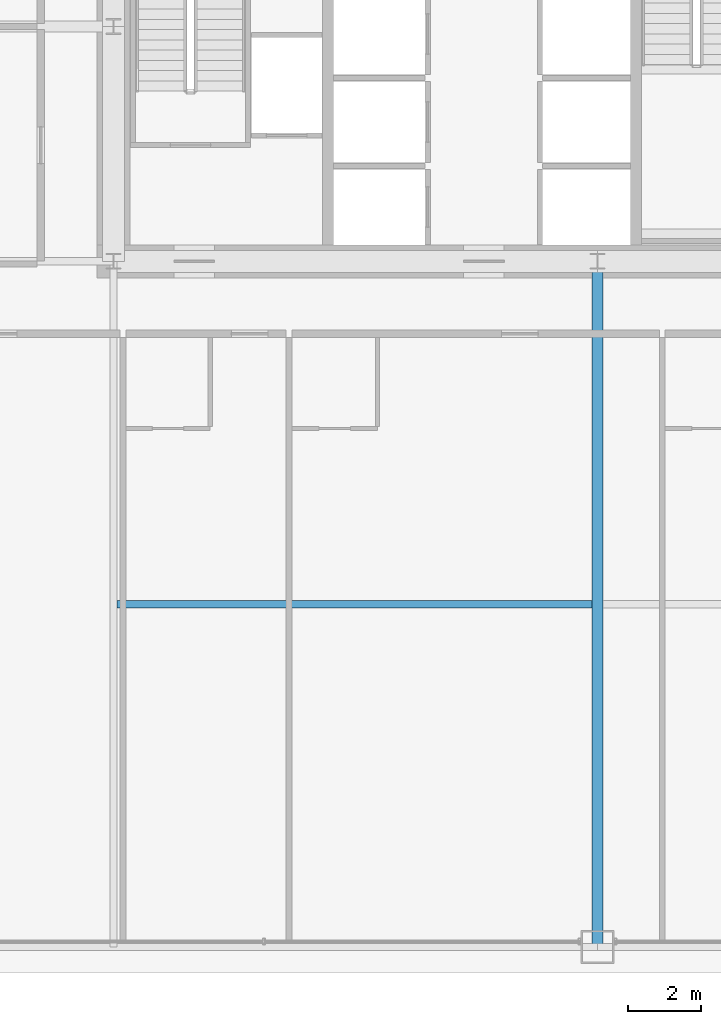
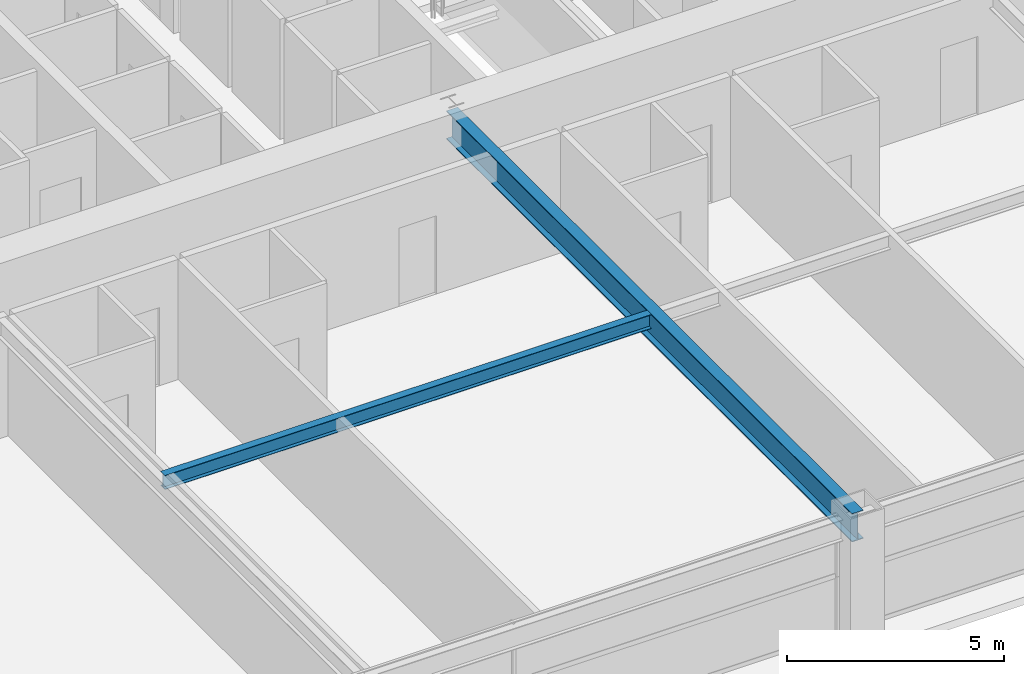
# One storey, part 8 of 43: 2 beams.
"""IFC4 building model written with IfcOpenShell, lengths in metres."""

import ifcopenshell
import ifcopenshell.guid

model = None  # the IFC model being written
_history = None  # IfcOwnerHistory: only IFC2X3 demands one
_inside = {}  # id of a spatial element -> (the spatial element, [elements in it])
_under = {}  # id of a project, library or spatial element -> (it, [spatial elements below it])
_declared = {}  # id of a project -> (the project, [libraries it declares])
_typed = {}  # id of a type object -> (the type object, [elements of that type])
_made_of = {}  # id of a material, layer set ... -> (it, [elements and type objects made of it])


def new_model(schema):
    """Start an empty IFC model of exactly this schema.

    Asked for "IFC4X3", IfcOpenShell would pick the latest addendum, in which some entities
    have other attributes; the version numbers below select the first issue.
    IFC2X3 requires an IfcOwnerHistory on every rooted entity: one is made here for all.
    """
    global model, _history
    if schema == "IFC4X3":
        model = ifcopenshell.file(schema_version=(4, 3, 0, 0))
    else:
        model = ifcopenshell.file(schema=schema)
    _inside.clear()
    _under.clear()
    _declared.clear()
    _typed.clear()
    _made_of.clear()
    _history = None
    if model.schema == "IFC2X3":
        org = make("IfcOrganization", Name="unknown")
        user = make(
            "IfcPersonAndOrganization",
            ThePerson=make("IfcPerson", FamilyName="unknown"),
            TheOrganization=org,
        )
        app = make(
            "IfcApplication",
            ApplicationDeveloper=org,
            Version="unknown",
            ApplicationFullName="unknown",
            ApplicationIdentifier="unknown",
        )
        _history = make(
            "IfcOwnerHistory",
            OwningUser=user,
            OwningApplication=app,
            ChangeAction="ADDED",
            CreationDate=0,
        )
    return model


def make(cls, **values):
    """One entity of the class cls with the attributes given. An attribute that is None is left unset."""
    return model.create_entity(
        cls, **{name: value for name, value in values.items() if value is not None}
    )


def rooted(cls, **values):
    """An entity with a GlobalId (a new one), such as an element, a storey or a relation."""
    return make(cls, GlobalId=ifcopenshell.guid.new(), OwnerHistory=_history, **values)


def si_unit(unit_type, name, prefix=None):
    """IfcSIUnit, for example si_unit("LENGTHUNIT", "METRE", prefix="MILLI")."""
    return make("IfcSIUnit", UnitType=unit_type, Prefix=prefix, Name=name)


def assignment(units):
    """IfcUnitAssignment: the units of a project."""
    return None if units is None else make("IfcUnitAssignment", Units=units)


def point(xyz):
    """IfcCartesianPoint."""
    return None if xyz is None else make("IfcCartesianPoint", Coordinates=xyz)


def direction(xyz):
    """IfcDirection."""
    return None if xyz is None else make("IfcDirection", DirectionRatios=xyz)


def frame(location, z_axis=None, x_axis=None):
    """IfcAxis2Placement3D, a coordinate frame: its origin and axes. An axis left out is left unset."""
    return make(
        "IfcAxis2Placement3D",
        Location=point(location),
        Axis=direction(z_axis),
        RefDirection=direction(x_axis),
    )


def frame_2d(location, x_axis=None):
    """IfcAxis2Placement2D, a coordinate frame in the plane: its origin and x axis."""
    return make(
        "IfcAxis2Placement2D", Location=point(location), RefDirection=direction(x_axis)
    )


def origin():
    """The frame at (0, 0, 0) with its axes left unset."""
    return frame((0.0, 0.0, 0.0))


def origin_2d():
    """The frame at (0, 0) in the plane with its x axis left unset."""
    return frame_2d((0.0, 0.0))


def place(relative_to, where):
    """IfcLocalPlacement: puts the frame where relative to a parent placement (None: the world)."""
    return make(
        "IfcLocalPlacement", PlacementRelTo=relative_to, RelativePlacement=where
    )


def context(
    kind, dimensions, precision=None, world=None, true_north=None, identifier=None
):
    """IfcGeometricRepresentationContext, for example the 3D "Model" context."""
    return make(
        "IfcGeometricRepresentationContext",
        ContextIdentifier=identifier,
        ContextType=kind,
        CoordinateSpaceDimension=dimensions,
        Precision=precision,
        WorldCoordinateSystem=world,
        TrueNorth=true_north,
    )


def subcontext(parent, identifier, kind, view, scale=None):
    """IfcGeometricRepresentationSubContext, for example "Body" below "Model"."""
    return make(
        "IfcGeometricRepresentationSubContext",
        ContextIdentifier=identifier,
        ContextType=kind,
        ParentContext=parent,
        TargetScale=scale,
        TargetView=view,
    )


def project(units=None, contexts=None):
    """IfcProject with its units and contexts."""
    return rooted(
        "IfcProject",
        Name="project",
        RepresentationContexts=contexts,
        UnitsInContext=assignment(units),
    )


def spatial(cls, under=None, at=None, **own):
    """A site, building, storey or space (cls), placed at a placement, below another one or the project."""
    s = rooted(cls, ObjectPlacement=at, **own)
    if under is not None:
        _under.setdefault(under.id(), (under, []))[1].append(s)
    return s


def profile(cls, at=None, kind="AREA", **sizes):
    """A parametric profile (cls). Its sizes go by their IFC names, for example OverallWidth=200.0."""
    return make(cls, ProfileType=kind, Position=at, **sizes)


def i_section(**sizes):
    """IfcIShapeProfileDef."""
    return profile("IfcIShapeProfileDef", **sizes)


def extrude(swept, where, along, depth):
    """IfcExtrudedAreaSolid: the profile swept, set in the frame where, extruded along a direction by depth."""
    return make(
        "IfcExtrudedAreaSolid",
        SweptArea=swept,
        Position=where,
        ExtrudedDirection=direction(along),
        Depth=depth,
    )


def shape(context_of_items, identifier, shape_type, items):
    """IfcShapeRepresentation: the items that make up one representation, for example the "Body"."""
    return make(
        "IfcShapeRepresentation",
        ContextOfItems=context_of_items,
        RepresentationIdentifier=identifier,
        RepresentationType=shape_type,
        Items=items,
    )


def source(mapping_origin, context_of_items, identifier, shape_type, items):
    """IfcRepresentationMap: a shape defined once, which mapped items show again and again."""
    return make(
        "IfcRepresentationMap",
        MappingOrigin=mapping_origin,
        MappedRepresentation=shape(context_of_items, identifier, shape_type, items),
    )


def transform(
    local_origin,
    x_axis=None,
    y_axis=None,
    z_axis=None,
    scale=None,
    scale2=None,
    scale3=None,
    uniform=True,
):
    """IfcCartesianTransformationOperator3D, or its non-uniform kind. x_axis, y_axis, z_axis: its Axis1, 2, 3."""
    if uniform:
        return make(
            "IfcCartesianTransformationOperator3D",
            Axis1=direction(x_axis),
            Axis2=direction(y_axis),
            LocalOrigin=point(local_origin),
            Scale=scale,
            Axis3=direction(z_axis),
        )
    return make(
        "IfcCartesianTransformationOperator3DnonUniform",
        Axis1=direction(x_axis),
        Axis2=direction(y_axis),
        LocalOrigin=point(local_origin),
        Scale=scale,
        Axis3=direction(z_axis),
        Scale2=scale2,
        Scale3=scale3,
    )


def mapped(mapping_source, mapping_target):
    """IfcMappedItem: shows the shape of a source again, moved by a transform."""
    return make(
        "IfcMappedItem", MappingSource=mapping_source, MappingTarget=mapping_target
    )


def material(Name=None, Category=None):
    """IfcMaterial."""
    return make("IfcMaterial", Name=Name, Category=Category)


def material_profile(
    of_material, cross_section, Name=None, Category=None, Priority=None
):
    """IfcMaterialProfile: a cross section and its material."""
    return make(
        "IfcMaterialProfile",
        Name=Name,
        Material=of_material,
        Profile=cross_section,
        Priority=Priority,
        Category=Category,
    )


def profile_set(profiles, Name=None, composite=None):
    """IfcMaterialProfileSet."""
    return make(
        "IfcMaterialProfileSet",
        Name=Name,
        MaterialProfiles=profiles,
        CompositeProfile=composite,
    )


def made_of(thing, what):
    """Note that an element or type object is made of a material, layer set ...; save() writes the relation."""
    if what is not None:
        _made_of.setdefault(what.id(), (what, []))[1].append(thing)
    return thing


def type_object(cls, material=None, **own):
    """A type object (cls), such as IfcWallType, which elements share."""
    return made_of(rooted(cls, **own), material)


def element(
    cls,
    number,
    at=None,
    inside=None,
    cuts=None,
    type_object=None,
    material=None,
    context=None,
    identifier="Body",
    shape_type=None,
    held_by="IfcProductDefinitionShape",
    body=None,
    shapes=None,
    **own,
):
    """One element of the class cls, such as IfcWall. Its Tag is "e" and its number.

    at: its placement. inside: the storey or other place that contains it. cuts: it is an
    opening in that element (IfcRelVoidsElement). A single representation is given by context,
    identifier, shape_type and body (its items); several are given by shapes. held_by: the class
    of the entity that holds the representations. save() writes the other relations.
    """
    e = rooted(cls, Tag="e%d" % number, ObjectPlacement=at, **own)
    if body is not None:
        shapes = [shape(context, identifier, shape_type, body)]
    if shapes is not None:
        e.Representation = make(held_by, Representations=shapes)
    if inside is not None:
        _inside.setdefault(inside.id(), (inside, []))[1].append(e)
    if cuts is not None:
        rooted(
            "IfcRelVoidsElement", RelatingBuildingElement=cuts, RelatedOpeningElement=e
        )
    if type_object is not None:
        _typed.setdefault(type_object.id(), (type_object, []))[1].append(e)
    return made_of(e, material)


def aggregate(whole, parts):
    """IfcRelAggregates: a whole, such as a stair, and the parts it consists of."""
    return rooted("IfcRelAggregates", RelatingObject=whole, RelatedObjects=parts)


def save(model, path):
    """Write the relations noted so far, then the file.

    IfcRelAggregates (storeys below a building ...), IfcRelContainedInSpatialStructure (elements
    in a storey), IfcRelDefinesByType, IfcRelAssociatesMaterial and IfcRelDeclares: one each for
    every whole, place, type object, material and project.
    """
    for whole, parts in _under.values():
        aggregate(whole, parts)
    for where, things in _inside.values():
        rooted(
            "IfcRelContainedInSpatialStructure",
            RelatedElements=things,
            RelatingStructure=where,
        )
    for kind, things in _typed.values():
        rooted("IfcRelDefinesByType", RelatedObjects=things, RelatingType=kind)
    for what, things in _made_of.values():
        rooted("IfcRelAssociatesMaterial", RelatedObjects=things, RelatingMaterial=what)
    for by, libraries in _declared.values():
        rooted("IfcRelDeclares", RelatingContext=by, RelatedDefinitions=libraries)
    model.write(path)


model = new_model("IFC4")

# Units and contexts
model_context = context("Model", 3, precision=1e-05, world=origin(), true_north=direction((0.0, 1.0)))
body_context = subcontext(model_context, "Body", "Model", "MODEL_VIEW")
ifc_project = project(units=[si_unit("LENGTHUNIT", "METRE"), si_unit("AREAUNIT", "SQUARE_METRE"), si_unit("VOLUMEUNIT", "CUBIC_METRE"), si_unit("PLANEANGLEUNIT", "RADIAN"), si_unit("MASSUNIT", "GRAM", prefix="KILO"), si_unit("THERMODYNAMICTEMPERATUREUNIT", "KELVIN"), si_unit("POWERUNIT", "WATT")], contexts=[model_context])

# Site, building, storey
site_placement = place(None, origin())
site = spatial("IfcSite", under=ifc_project, at=site_placement, CompositionType="ELEMENT")
building_placement = place(site_placement, origin())
building = spatial("IfcBuilding", under=site, at=building_placement, Name="Yuzanri Waterfront Tower", CompositionType="ELEMENT")
storey_placement = place(building_placement, frame((0.0, 0.0, 74.800048828125)))
storey = spatial("IfcBuildingStorey", under=building, at=storey_placement, Name="L19", CompositionType="ELEMENT", Elevation=74.800048828125)

# Beams
ifc_material_1 = material(Name="Steel Q355B", Category="steel")
ifc_material_profile_1 = material_profile(ifc_material_1, i_section(OverallWidth=0.300048828125, OverallDepth=0.800048828125, WebThickness=0.013916015625, FlangeThickness=0.02587890625, at=origin_2d()), Name="HN 800x300x14x26")
ifc_profile_set_1 = profile_set([ifc_material_profile_1], Name="Steel Q355B")
beam_type_1 = type_object("IfcBeamType", Name="Primary Floor Girder Q355B HN 800x300", PredefinedType="BEAM", material=ifc_profile_set_1)
shared_shape_1 = source(origin(), body_context, "Body", "SweptSolid", [
    extrude(i_section(OverallWidth=0.300048828125, OverallDepth=0.800048828125, WebThickness=0.013916015625, FlangeThickness=0.02587890625, at=origin_2d()), origin(), (0.0, 0.0, 1.0), 18.699951171875),
])
beam_1_placement = place(storey_placement, frame((37.0, 19.39990234375, 2.97998046875), z_axis=(0.0, -1.0, 0.0), x_axis=(1.0, 0.0, 0.0)))
element("IfcBeam", 1, at=beam_1_placement, inside=storey, type_object=beam_type_1, Name="L19 South Grid Girder", PredefinedType="BEAM", context=body_context, shape_type="MappedRepresentation", body=[
    mapped(shared_shape_1, transform((0.0, 0.0, 0.0), scale=1.0)),
])
ifc_material_2 = material(Name="Steel Q355B", Category="steel")
ifc_material_profile_2 = material_profile(ifc_material_2, i_section(OverallWidth=0.199951171875, OverallDepth=0.39990234375, WebThickness=0.008056640625, FlangeThickness=0.012939453125, at=origin_2d()), Name="HN 400x200x8x13")
ifc_profile_set_2 = profile_set([ifc_material_profile_2], Name="Steel Q355B")
beam_type_2 = type_object("IfcBeamType", Name="Floor Joist Q355B HN 400x200", PredefinedType="JOIST", material=ifc_profile_set_2)
shared_shape_2 = source(origin(), body_context, "Body", "SweptSolid", [
    extrude(i_section(OverallWidth=0.199951171875, OverallDepth=0.39990234375, WebThickness=0.008056640625, FlangeThickness=0.012939453125, at=origin_2d()), origin(), (0.0, 0.0, 1.0), 12.9501953125),
])
beam_2_placement = place(storey_placement, frame((23.89990234375, 10.050048828125, 3.179931640625), z_axis=(1.0, 0.0, 0.0), x_axis=(0.0, 1.0, 0.0)))
element("IfcBeam", 2, at=beam_2_placement, inside=storey, type_object=beam_type_2, Name="L19 South Bay Joist W", PredefinedType="JOIST", context=body_context, shape_type="MappedRepresentation", body=[
    mapped(shared_shape_2, transform((0.0, 0.0, 0.0), scale=1.0)),
])

save(model, "model.ifc")
